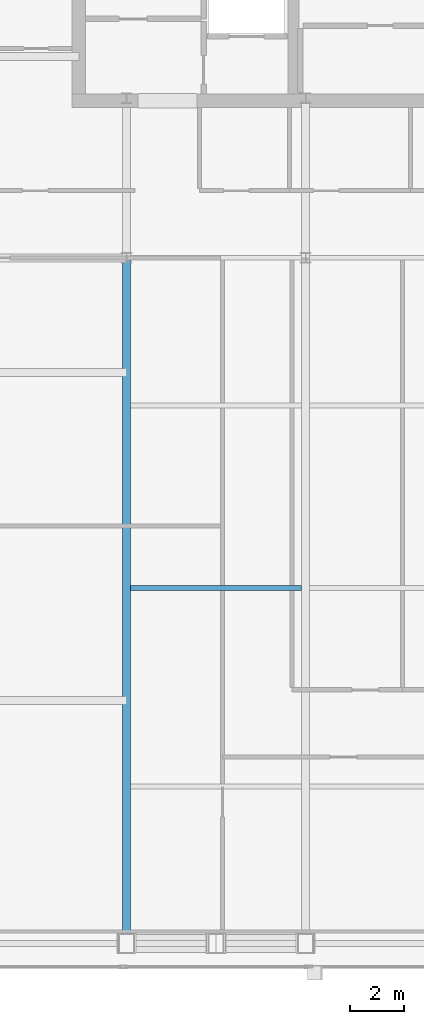
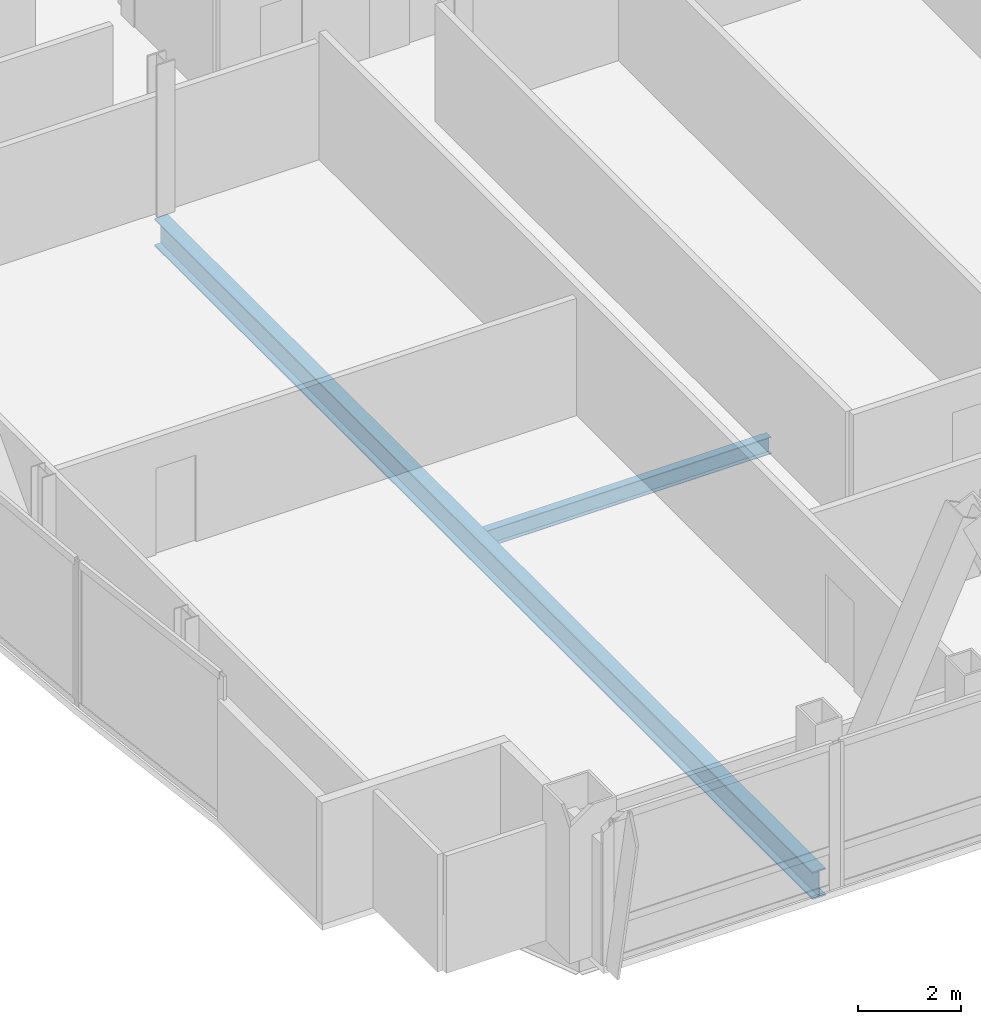
# One storey, part 7 of 30: 2 beams.
"""IFC4 building model written with IfcOpenShell, lengths in metres."""

import ifcopenshell
import ifcopenshell.guid

model = None  # the IFC model being written
_history = None  # IfcOwnerHistory: only IFC2X3 demands one
_inside = {}  # id of a spatial element -> (the spatial element, [elements in it])
_under = {}  # id of a project, library or spatial element -> (it, [spatial elements below it])
_declared = {}  # id of a project -> (the project, [libraries it declares])
_typed = {}  # id of a type object -> (the type object, [elements of that type])
_made_of = {}  # id of a material, layer set ... -> (it, [elements and type objects made of it])


def new_model(schema):
    """Start an empty IFC model of exactly this schema.

    Asked for "IFC4X3", IfcOpenShell would pick the latest addendum, in which some entities
    have other attributes; the version numbers below select the first issue.
    IFC2X3 requires an IfcOwnerHistory on every rooted entity: one is made here for all.
    """
    global model, _history
    if schema == "IFC4X3":
        model = ifcopenshell.file(schema_version=(4, 3, 0, 0))
    else:
        model = ifcopenshell.file(schema=schema)
    _inside.clear()
    _under.clear()
    _declared.clear()
    _typed.clear()
    _made_of.clear()
    _history = None
    if model.schema == "IFC2X3":
        org = make("IfcOrganization", Name="unknown")
        user = make(
            "IfcPersonAndOrganization",
            ThePerson=make("IfcPerson", FamilyName="unknown"),
            TheOrganization=org,
        )
        app = make(
            "IfcApplication",
            ApplicationDeveloper=org,
            Version="unknown",
            ApplicationFullName="unknown",
            ApplicationIdentifier="unknown",
        )
        _history = make(
            "IfcOwnerHistory",
            OwningUser=user,
            OwningApplication=app,
            ChangeAction="ADDED",
            CreationDate=0,
        )
    return model


def make(cls, **values):
    """One entity of the class cls with the attributes given. An attribute that is None is left unset."""
    return model.create_entity(
        cls, **{name: value for name, value in values.items() if value is not None}
    )


def rooted(cls, **values):
    """An entity with a GlobalId (a new one), such as an element, a storey or a relation."""
    return make(cls, GlobalId=ifcopenshell.guid.new(), OwnerHistory=_history, **values)


def si_unit(unit_type, name, prefix=None):
    """IfcSIUnit, for example si_unit("LENGTHUNIT", "METRE", prefix="MILLI")."""
    return make("IfcSIUnit", UnitType=unit_type, Prefix=prefix, Name=name)


def assignment(units):
    """IfcUnitAssignment: the units of a project."""
    return None if units is None else make("IfcUnitAssignment", Units=units)


def point(xyz):
    """IfcCartesianPoint."""
    return None if xyz is None else make("IfcCartesianPoint", Coordinates=xyz)


def direction(xyz):
    """IfcDirection."""
    return None if xyz is None else make("IfcDirection", DirectionRatios=xyz)


def frame(location, z_axis=None, x_axis=None):
    """IfcAxis2Placement3D, a coordinate frame: its origin and axes. An axis left out is left unset."""
    return make(
        "IfcAxis2Placement3D",
        Location=point(location),
        Axis=direction(z_axis),
        RefDirection=direction(x_axis),
    )


def frame_2d(location, x_axis=None):
    """IfcAxis2Placement2D, a coordinate frame in the plane: its origin and x axis."""
    return make(
        "IfcAxis2Placement2D", Location=point(location), RefDirection=direction(x_axis)
    )


def origin():
    """The frame at (0, 0, 0) with its axes left unset."""
    return frame((0.0, 0.0, 0.0))


def origin_2d():
    """The frame at (0, 0) in the plane with its x axis left unset."""
    return frame_2d((0.0, 0.0))


def place(relative_to, where):
    """IfcLocalPlacement: puts the frame where relative to a parent placement (None: the world)."""
    return make(
        "IfcLocalPlacement", PlacementRelTo=relative_to, RelativePlacement=where
    )


def context(
    kind, dimensions, precision=None, world=None, true_north=None, identifier=None
):
    """IfcGeometricRepresentationContext, for example the 3D "Model" context."""
    return make(
        "IfcGeometricRepresentationContext",
        ContextIdentifier=identifier,
        ContextType=kind,
        CoordinateSpaceDimension=dimensions,
        Precision=precision,
        WorldCoordinateSystem=world,
        TrueNorth=true_north,
    )


def subcontext(parent, identifier, kind, view, scale=None):
    """IfcGeometricRepresentationSubContext, for example "Body" below "Model"."""
    return make(
        "IfcGeometricRepresentationSubContext",
        ContextIdentifier=identifier,
        ContextType=kind,
        ParentContext=parent,
        TargetScale=scale,
        TargetView=view,
    )


def project(units=None, contexts=None):
    """IfcProject with its units and contexts."""
    return rooted(
        "IfcProject",
        Name="project",
        RepresentationContexts=contexts,
        UnitsInContext=assignment(units),
    )


def spatial(cls, under=None, at=None, **own):
    """A site, building, storey or space (cls), placed at a placement, below another one or the project."""
    s = rooted(cls, ObjectPlacement=at, **own)
    if under is not None:
        _under.setdefault(under.id(), (under, []))[1].append(s)
    return s


def profile(cls, at=None, kind="AREA", **sizes):
    """A parametric profile (cls). Its sizes go by their IFC names, for example OverallWidth=200.0."""
    return make(cls, ProfileType=kind, Position=at, **sizes)


def i_section(**sizes):
    """IfcIShapeProfileDef."""
    return profile("IfcIShapeProfileDef", **sizes)


def extrude(swept, where, along, depth):
    """IfcExtrudedAreaSolid: the profile swept, set in the frame where, extruded along a direction by depth."""
    return make(
        "IfcExtrudedAreaSolid",
        SweptArea=swept,
        Position=where,
        ExtrudedDirection=direction(along),
        Depth=depth,
    )


def shape(context_of_items, identifier, shape_type, items):
    """IfcShapeRepresentation: the items that make up one representation, for example the "Body"."""
    return make(
        "IfcShapeRepresentation",
        ContextOfItems=context_of_items,
        RepresentationIdentifier=identifier,
        RepresentationType=shape_type,
        Items=items,
    )


def material(Name=None, Category=None):
    """IfcMaterial."""
    return make("IfcMaterial", Name=Name, Category=Category)


def material_profile(
    of_material, cross_section, Name=None, Category=None, Priority=None
):
    """IfcMaterialProfile: a cross section and its material."""
    return make(
        "IfcMaterialProfile",
        Name=Name,
        Material=of_material,
        Profile=cross_section,
        Priority=Priority,
        Category=Category,
    )


def profile_set(profiles, Name=None, composite=None):
    """IfcMaterialProfileSet."""
    return make(
        "IfcMaterialProfileSet",
        Name=Name,
        MaterialProfiles=profiles,
        CompositeProfile=composite,
    )


def made_of(thing, what):
    """Note that an element or type object is made of a material, layer set ...; save() writes the relation."""
    if what is not None:
        _made_of.setdefault(what.id(), (what, []))[1].append(thing)
    return thing


def type_object(cls, material=None, **own):
    """A type object (cls), such as IfcWallType, which elements share."""
    return made_of(rooted(cls, **own), material)


def element(
    cls,
    number,
    at=None,
    inside=None,
    cuts=None,
    type_object=None,
    material=None,
    context=None,
    identifier="Body",
    shape_type=None,
    held_by="IfcProductDefinitionShape",
    body=None,
    shapes=None,
    **own,
):
    """One element of the class cls, such as IfcWall. Its Tag is "e" and its number.

    at: its placement. inside: the storey or other place that contains it. cuts: it is an
    opening in that element (IfcRelVoidsElement). A single representation is given by context,
    identifier, shape_type and body (its items); several are given by shapes. held_by: the class
    of the entity that holds the representations. save() writes the other relations.
    """
    e = rooted(cls, Tag="e%d" % number, ObjectPlacement=at, **own)
    if body is not None:
        shapes = [shape(context, identifier, shape_type, body)]
    if shapes is not None:
        e.Representation = make(held_by, Representations=shapes)
    if inside is not None:
        _inside.setdefault(inside.id(), (inside, []))[1].append(e)
    if cuts is not None:
        rooted(
            "IfcRelVoidsElement", RelatingBuildingElement=cuts, RelatedOpeningElement=e
        )
    if type_object is not None:
        _typed.setdefault(type_object.id(), (type_object, []))[1].append(e)
    return made_of(e, material)


def aggregate(whole, parts):
    """IfcRelAggregates: a whole, such as a stair, and the parts it consists of."""
    return rooted("IfcRelAggregates", RelatingObject=whole, RelatedObjects=parts)


def save(model, path):
    """Write the relations noted so far, then the file.

    IfcRelAggregates (storeys below a building ...), IfcRelContainedInSpatialStructure (elements
    in a storey), IfcRelDefinesByType, IfcRelAssociatesMaterial and IfcRelDeclares: one each for
    every whole, place, type object, material and project.
    """
    for whole, parts in _under.values():
        aggregate(whole, parts)
    for where, things in _inside.values():
        rooted(
            "IfcRelContainedInSpatialStructure",
            RelatedElements=things,
            RelatingStructure=where,
        )
    for kind, things in _typed.values():
        rooted("IfcRelDefinesByType", RelatedObjects=things, RelatingType=kind)
    for what, things in _made_of.values():
        rooted("IfcRelAssociatesMaterial", RelatedObjects=things, RelatingMaterial=what)
    for by, libraries in _declared.values():
        rooted("IfcRelDeclares", RelatingContext=by, RelatedDefinitions=libraries)
    model.write(path)


model = new_model("IFC4")

# Units and contexts
model_context = context("Model", 3, precision=1e-05, world=origin(), true_north=direction((0.0, 1.0)))
body_context = subcontext(model_context, "Body", "Model", "MODEL_VIEW")
ifc_project = project(units=[si_unit("LENGTHUNIT", "METRE"), si_unit("AREAUNIT", "SQUARE_METRE"), si_unit("VOLUMEUNIT", "CUBIC_METRE"), si_unit("PLANEANGLEUNIT", "RADIAN"), si_unit("MASSUNIT", "GRAM", prefix="KILO")], contexts=[model_context])

# Site, building, storey
site_placement = place(None, origin())
site = spatial("IfcSite", under=ifc_project, at=site_placement, CompositionType="ELEMENT")
building_placement = place(site_placement, origin())
building = spatial("IfcBuilding", under=site, at=building_placement, Name="Khoronbel Lancet Exchange", CompositionType="ELEMENT")
storey_placement = place(building_placement, frame((0.0, 0.0, 284.199951171875)))
storey = spatial("IfcBuildingStorey", under=building, at=storey_placement, Name="L73", CompositionType="ELEMENT", Elevation=284.199951171875)

# Beams
ifc_material = material(Name="Steel S355", Category="steel")
ifc_material_profile_1 = material_profile(ifc_material, i_section(OverallWidth=0.300048828125, OverallDepth=0.64990234375, WebThickness=0.01611328125, FlangeThickness=0.031005859375, at=origin_2d()), Name="HEB 650")
ifc_profile_set_1 = profile_set([ifc_material_profile_1], Name="Steel S355")
beam_type_1 = type_object("IfcBeamType", Name="BM-BG4", PredefinedType="BEAM", material=ifc_profile_set_1)
beam_1_placement = place(storey_placement, frame((18.22509765625, 10.14990234375, -0.48486328125), z_axis=(0.0, 1.0, 0.0), x_axis=(-1.0, 0.0, 0.0)))
element("IfcBeam", 1, at=beam_1_placement, inside=storey, type_object=beam_type_1, Name="Level L73 south primary girder GS1", PredefinedType="BEAM", context=body_context, shape_type="SweptSolid", body=[
    extrude(i_section(OverallWidth=0.300048828125, OverallDepth=0.64990234375, WebThickness=0.01611328125, FlangeThickness=0.031005859375, at=origin_2d()), origin(), (0.0, 0.0, 1.0), 25.550048828125),
])
ifc_material_profile_2 = material_profile(ifc_material, i_section(OverallWidth=0.179931640625, OverallDepth=0.39990234375, WebThickness=0.008544921875, FlangeThickness=0.013427734375, at=origin_2d()), Name="IPE 400")
ifc_profile_set_2 = profile_set([ifc_material_profile_2], Name="Steel S355")
beam_type_2 = type_object("IfcBeamType", Name="BM-BJ5", PredefinedType="JOIST", material=ifc_profile_set_2)
beam_2_placement = place(storey_placement, frame((18.375, 23.39990234375, -0.35986328125), z_axis=(1.0, 0.0, 0.0), x_axis=(0.0, 1.0, 0.0)))
element("IfcBeam", 2, at=beam_2_placement, inside=storey, type_object=beam_type_2, Name="Level L73 secondary composite joist J06", PredefinedType="JOIST", context=body_context, shape_type="SweptSolid", body=[
    extrude(i_section(OverallWidth=0.179931640625, OverallDepth=0.39990234375, WebThickness=0.008544921875, FlangeThickness=0.013427734375, at=origin_2d()), origin(), (0.0, 0.0, 1.0), 6.375),
])

save(model, "model.ifc")
